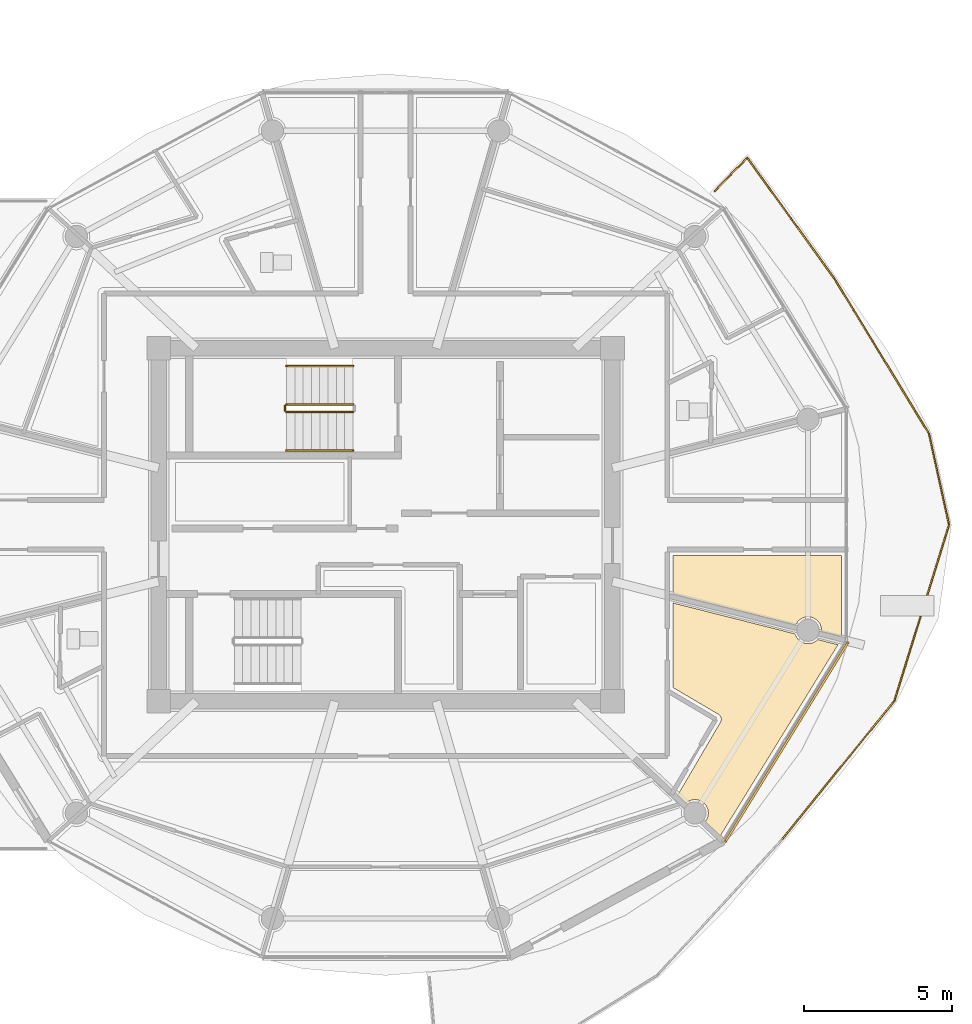
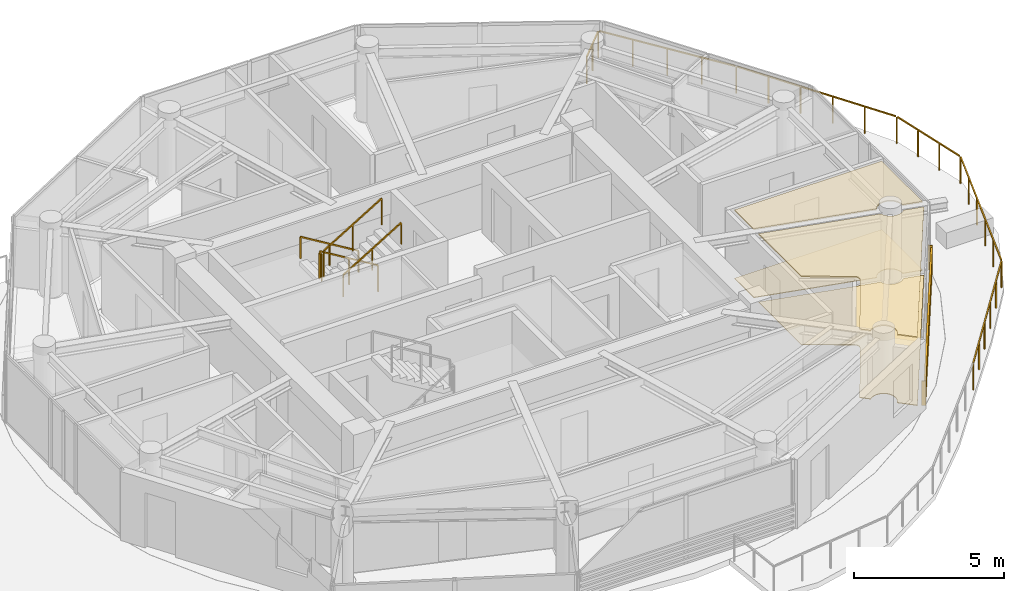
# One storey, part 26 of 30: 6 railings, 4 coverings, 1 shading device.
"""IFC4 building model written with IfcOpenShell, lengths in metres."""

from ifc_helpers import new_model, si_unit, direction, frame, origin, origin_2d, place, context, subcontext, project, spatial, polyline, rectangle, outline, extrude, source, transform, mapped, material, layer, layer_set, type_object, type_shapes, element, save


model = new_model("IFC4")

# Units and contexts
model_context = context("Model", 3, precision=1e-05, world=origin(), true_north=direction((0.0, 1.0)))
body_context = subcontext(model_context, "Body", "Model", "MODEL_VIEW")
ifc_project = project(units=[si_unit("LENGTHUNIT", "METRE"), si_unit("AREAUNIT", "SQUARE_METRE"), si_unit("VOLUMEUNIT", "CUBIC_METRE"), si_unit("PLANEANGLEUNIT", "RADIAN"), si_unit("MASSUNIT", "GRAM", prefix="KILO")], contexts=[model_context])

# Site, building, storey
site_placement = place(None, origin())
site = spatial("IfcSite", under=ifc_project, at=site_placement, CompositionType="ELEMENT")
building_placement = place(site_placement, origin())
building = spatial("IfcBuilding", under=site, at=building_placement, Name="Norrkilde Senior Care Towers", CompositionType="ELEMENT")
storey_placement = place(building_placement, frame((0.0, 0.0, 232.199951171875)))
storey = spatial("IfcBuildingStorey", under=building, at=storey_placement, Name="L72", CompositionType="ELEMENT", Elevation=232.199951171875)

# Coverings
ifc_material_1 = material(Name="Nordic Ash Timber", Category="wood")
ifc_layer_1 = layer(ifc_material_1, 0.044921875)
ifc_layer_set_1 = layer_set([ifc_layer_1], Name="Nordic Ash Timber")
covering_type_1 = type_object("IfcCoveringType", Name="Acoustic Ash Timber Slatted Ceiling 45", PredefinedType="CEILING", material=ifc_layer_set_1)
covering_1_placement = place(storey_placement, frame((0.0, 0.0, 2.76513671875)))
element("IfcCovering", 1, at=covering_1_placement, inside=storey, type_object=covering_type_1, Name="L72 Suspended Ceiling 0450", PredefinedType="CEILING", context=body_context, shape_type="SweptSolid", body=[
    extrude(outline(polyline([(43.37353515625, -3.76708984375), (42.697509765625, -3.59619140625), (42.702392578125, -3.558837890625), (42.68701171875, -3.44091796875), (42.641357421875, -3.331298828125), (42.569091796875, -3.237060546875), (42.474853515625, -3.164794921875), (42.365234375, -3.119384765625), (42.247314453125, -3.103759765625), (42.129638671875, -3.119384765625), (42.02001953125, -3.164794921875), (41.92578125, -3.237060546875), (41.853271484375, -3.331298828125), (41.834228515625, -3.377685546875), (37.699951171875, -2.331298828125), (37.699951171875, -1.0400390625), (43.37353515625, -1.0400390625), (43.37353515625, -3.76708984375)])), origin(), (0.0, 0.0, 1.0), 0.044921875),
])
covering_2_placement = place(storey_placement, frame((0.0, 0.0, 2.76513671875)))
element("IfcCovering", 2, at=covering_2_placement, inside=storey, type_object=covering_type_1, Name="L72 Suspended Ceiling 0463", PredefinedType="CEILING", context=body_context, shape_type="SweptSolid", body=[
    extrude(outline(polyline([(39.3017578125, -6.644287109375), (39.306640625, -6.633544921875), (39.309326171875, -6.627197265625), (39.31298828125, -6.6162109375), (39.31494140625, -6.609619140625), (39.31787109375, -6.59814453125), (39.319091796875, -6.59130859375), (39.320556640625, -6.57958984375), (39.3212890625, -6.57275390625), (39.32177734375, -6.56103515625), (39.32177734375, -6.55419921875), (39.321044921875, -6.54248046875), (39.3203125, -6.53564453125), (39.318359375, -6.524169921875), (39.317138671875, -6.517333984375), (39.314208984375, -6.505859375), (39.31201171875, -6.49951171875), (39.30810546875, -6.48828125), (39.305419921875, -6.482177734375), (39.30029296875, -6.471435546875), (39.296875, -6.46533203125), (39.290771484375, -6.455322265625), (39.286865234375, -6.44970703125), (39.27978515625, -6.4404296875), (39.275390625, -6.43505859375), (39.267578125, -6.426513671875), (39.2626953125, -6.421630859375), (39.25390625, -6.413818359375), (39.24853515625, -6.409423828125), (39.239013671875, -6.402587890625), (39.233154296875, -6.398681640625), (39.228271484375, -6.395751953125), (37.699951171875, -5.4951171875), (37.699951171875, -2.640625), (41.809814453125, -3.680908203125), (41.853271484375, -3.786376953125), (41.92578125, -3.880615234375), (42.02001953125, -3.952880859375), (42.129638671875, -3.998291015625), (42.247314453125, -4.013671875), (42.365234375, -3.998291015625), (42.474853515625, -3.952880859375), (42.569091796875, -3.880615234375), (42.573974609375, -3.874267578125), (43.25732421875, -4.04736328125), (39.28662109375, -10.495849609375), (38.775634765625, -10.01318359375), (38.823974609375, -9.9501953125), (38.869384765625, -9.840576171875), (38.884765625, -9.72265625), (38.869384765625, -9.60498046875), (38.823974609375, -9.4951171875), (38.75146484375, -9.40087890625), (38.6572265625, -9.32861328125), (38.547607421875, -9.283203125), (38.429931640625, -9.267822265625), (38.31201171875, -9.283203125), (38.202392578125, -9.32861328125), (38.11865234375, -9.392822265625), (37.84326171875, -9.132568359375), (39.295654296875, -6.655517578125), (39.298583984375, -6.650390625), (39.3017578125, -6.644287109375)])), origin(), (0.0, 0.0, 1.0), 0.044921875),
])
ifc_material_2 = material(Name="Slip-Resistant Porcelain Stone", Category="masonry")
ifc_layer_2 = layer(ifc_material_2, 0.02490234375)
ifc_layer_set_2 = layer_set([ifc_layer_2], Name="Slip-Resistant Porcelain Stone")
covering_type_2 = type_object("IfcCoveringType", Name="Slip-Resistant Porcelain Flooring 25", PredefinedType="FLOORING", material=ifc_layer_set_2)
covering_3_placement = place(storey_placement, origin())
element("IfcCovering", 3, at=covering_3_placement, inside=storey, type_object=covering_type_2, Name="L72 Floor Finish 0450", PredefinedType="FLOORING", context=body_context, shape_type="SweptSolid", body=[
    extrude(outline(polyline([(43.37353515625, -3.76708984375), (42.697509765625, -3.59619140625), (42.702392578125, -3.558837890625), (42.68701171875, -3.44091796875), (42.641357421875, -3.331298828125), (42.569091796875, -3.237060546875), (42.474853515625, -3.164794921875), (42.365234375, -3.119384765625), (42.247314453125, -3.103759765625), (42.129638671875, -3.119384765625), (42.02001953125, -3.164794921875), (41.92578125, -3.237060546875), (41.853271484375, -3.331298828125), (41.834228515625, -3.377685546875), (37.699951171875, -2.331298828125), (37.699951171875, -1.0400390625), (43.37353515625, -1.0400390625), (43.37353515625, -3.76708984375)])), origin(), (0.0, 0.0, 1.0), 0.025146484375),
])
covering_4_placement = place(storey_placement, origin())
element("IfcCovering", 4, at=covering_4_placement, inside=storey, type_object=covering_type_2, Name="L72 Floor Finish 0463", PredefinedType="FLOORING", context=body_context, shape_type="SweptSolid", body=[
    extrude(outline(polyline([(39.3017578125, -6.644287109375), (39.306640625, -6.633544921875), (39.309326171875, -6.627197265625), (39.31298828125, -6.6162109375), (39.31494140625, -6.609619140625), (39.31787109375, -6.59814453125), (39.319091796875, -6.59130859375), (39.320556640625, -6.57958984375), (39.3212890625, -6.57275390625), (39.32177734375, -6.56103515625), (39.32177734375, -6.55419921875), (39.321044921875, -6.54248046875), (39.3203125, -6.53564453125), (39.318359375, -6.524169921875), (39.317138671875, -6.517333984375), (39.314208984375, -6.505859375), (39.31201171875, -6.49951171875), (39.30810546875, -6.48828125), (39.305419921875, -6.482177734375), (39.30029296875, -6.471435546875), (39.296875, -6.46533203125), (39.290771484375, -6.455322265625), (39.286865234375, -6.44970703125), (39.27978515625, -6.4404296875), (39.275390625, -6.43505859375), (39.267578125, -6.426513671875), (39.2626953125, -6.421630859375), (39.25390625, -6.413818359375), (39.24853515625, -6.409423828125), (39.239013671875, -6.402587890625), (39.233154296875, -6.398681640625), (39.228271484375, -6.395751953125), (37.699951171875, -5.4951171875), (37.699951171875, -2.640625), (41.809814453125, -3.680908203125), (41.853271484375, -3.786376953125), (41.92578125, -3.880615234375), (42.02001953125, -3.952880859375), (42.129638671875, -3.998291015625), (42.247314453125, -4.013671875), (42.365234375, -3.998291015625), (42.474853515625, -3.952880859375), (42.569091796875, -3.880615234375), (42.573974609375, -3.874267578125), (43.25732421875, -4.04736328125), (39.28662109375, -10.495849609375), (38.775634765625, -10.01318359375), (38.823974609375, -9.9501953125), (38.869384765625, -9.840576171875), (38.884765625, -9.72265625), (38.869384765625, -9.60498046875), (38.823974609375, -9.4951171875), (38.75146484375, -9.40087890625), (38.6572265625, -9.32861328125), (38.547607421875, -9.283203125), (38.429931640625, -9.267822265625), (38.31201171875, -9.283203125), (38.202392578125, -9.32861328125), (38.11865234375, -9.392822265625), (37.84326171875, -9.132568359375), (39.295654296875, -6.655517578125), (39.298583984375, -6.650390625), (39.3017578125, -6.644287109375)])), origin(), (0.0, 0.0, 1.0), 0.025146484375),
])

# Railings
ifc_material_3 = material(Name="Stainless Steel", Category="steel")
railing_type_1 = type_object("IfcRailingType", Name="Stair and Terrace Guardrail 1100", PredefinedType="GUARDRAIL", material=ifc_material_3)
railing_1_placement = place(storey_placement, frame((39.0966796875, 11.249267578125, 0.0)))
element("IfcRailing", 5, at=railing_1_placement, inside=storey, type_object=railing_type_1, Name="L72 Perimeter Safety Guard 02", PredefinedType="GUARDRAIL", context=body_context, shape_type="SweptSolid", body=[
    extrude(rectangle(XDim=0.048095703125, YDim=0.048095703125, at=origin_2d()), frame((0.0, 0.0, 1.09619140625), z_axis=(0.698676722549, 0.715437514649, 0.0), x_axis=(-0.715437514649, 0.698676722549, 0.0)), (0.0, 0.0, 1.0), 1.5322265625),
    extrude(rectangle(XDim=0.048095703125, YDim=0.048095703125, at=origin_2d()), frame((1.123046875, 1.09228515625, 1.09619140625), z_axis=(0.584734195785, -0.811224950479, 0.0), x_axis=(0.811224950479, 0.584734195785, 0.0)), (0.0, 0.0, 1.0), 4.964111328125),
    extrude(rectangle(XDim=0.048095703125, YDim=0.048095703125, at=origin_2d()), frame((4.07080078125, -3.002685546875, 1.09619140625), z_axis=(0.520729754981, -0.853721571871, 0.0), x_axis=(0.853721571871, 0.520729754981, 0.0)), (0.0, 0.0, 1.0), 6.021240234375),
    extrude(rectangle(XDim=0.048095703125, YDim=0.048095703125, at=origin_2d()), frame((7.236328125, -8.218017578125, 1.09619140625), z_axis=(0.215271542966, -0.976554229313, 0.0), x_axis=(0.976554229313, 0.215271542966, 0.0)), (0.0, 0.0, 1.0), 3.06640625),
    extrude(rectangle(XDim=0.048095703125, YDim=0.048095703125, at=origin_2d()), frame((7.89306640625, -11.29150390625, 1.09619140625), z_axis=(-0.296380666929, -0.955069892872, 0.0), x_axis=(0.955069892872, -0.296380666929, 0.0)), (0.0, 0.0, 1.0), 6.12841796875),
    extrude(rectangle(XDim=0.048095703125, YDim=0.048095703125, at=origin_2d()), frame((6.0390625, -17.21533203125, 1.09619140625), z_axis=(-0.629649585519, -0.776879269549, 0.0), x_axis=(0.776879269549, -0.629649585519, 0.0)), (0.0, 0.0, 1.0), 5.9951171875),
    extrude(rectangle(XDim=0.0419921875, YDim=0.0419921875, at=origin_2d()), origin(), (0.0, 0.0, 1.0), 1.070068359375),
    extrude(rectangle(XDim=0.0419921875, YDim=0.0419921875, at=origin_2d()), frame((0.549560546875, 0.562744140625, 0.0)), (0.0, 0.0, 1.0), 1.070068359375),
    extrude(rectangle(XDim=0.0419921875, YDim=0.0419921875, at=origin_2d()), frame((1.09912109375, 1.12548828125, 0.0)), (0.0, 0.0, 1.0), 1.070068359375),
    extrude(rectangle(XDim=0.0419921875, YDim=0.0419921875, at=origin_2d()), frame((1.836669921875, 0.10205078125, 0.0)), (0.0, 0.0, 1.0), 1.070068359375),
    extrude(rectangle(XDim=0.0419921875, YDim=0.0419921875, at=origin_2d()), frame((2.57421875, -0.921142578125, 0.0)), (0.0, 0.0, 1.0), 1.070068359375),
    extrude(rectangle(XDim=0.0419921875, YDim=0.0419921875, at=origin_2d()), frame((3.31201171875, -1.9443359375, 0.0)), (0.0, 0.0, 1.0), 1.070068359375),
    extrude(rectangle(XDim=0.0419921875, YDim=0.0419921875, at=origin_2d()), frame((4.049560546875, -2.9677734375, 0.0)), (0.0, 0.0, 1.0), 1.070068359375),
    extrude(rectangle(XDim=0.0419921875, YDim=0.0419921875, at=origin_2d()), frame((4.68505859375, -4.009765625, 0.0)), (0.0, 0.0, 1.0), 1.070068359375),
    extrude(rectangle(XDim=0.0419921875, YDim=0.0419921875, at=origin_2d()), frame((5.32080078125, -5.0517578125, 0.0)), (0.0, 0.0, 1.0), 1.070068359375),
    extrude(rectangle(XDim=0.0419921875, YDim=0.0419921875, at=origin_2d()), frame((5.956298828125, -6.093994140625, 0.0)), (0.0, 0.0, 1.0), 1.070068359375),
    extrude(rectangle(XDim=0.0419921875, YDim=0.0419921875, at=origin_2d()), frame((6.592041015625, -7.135986328125, 0.0)), (0.0, 0.0, 1.0), 1.070068359375),
    extrude(rectangle(XDim=0.0419921875, YDim=0.0419921875, at=origin_2d()), frame((7.2275390625, -8.177978515625, 0.0)), (0.0, 0.0, 1.0), 1.070068359375),
    extrude(rectangle(XDim=0.0419921875, YDim=0.0419921875, at=origin_2d()), frame((7.453369140625, -9.202880859375, 0.0)), (0.0, 0.0, 1.0), 1.070068359375),
    extrude(rectangle(XDim=0.0419921875, YDim=0.0419921875, at=origin_2d()), frame((7.679443359375, -10.2275390625, 0.0)), (0.0, 0.0, 1.0), 1.070068359375),
    extrude(rectangle(XDim=0.0419921875, YDim=0.0419921875, at=origin_2d()), frame((7.9052734375, -11.25244140625, 0.0)), (0.0, 0.0, 1.0), 1.070068359375),
    extrude(rectangle(XDim=0.0419921875, YDim=0.0419921875, at=origin_2d()), frame((7.537109375, -12.438720703125, 0.0)), (0.0, 0.0, 1.0), 1.070068359375),
    extrude(rectangle(XDim=0.0419921875, YDim=0.0419921875, at=origin_2d()), frame((7.1689453125, -13.625, 0.0)), (0.0, 0.0, 1.0), 1.070068359375),
    extrude(rectangle(XDim=0.0419921875, YDim=0.0419921875, at=origin_2d()), frame((6.801025390625, -14.81103515625, 0.0)), (0.0, 0.0, 1.0), 1.070068359375),
    extrude(rectangle(XDim=0.0419921875, YDim=0.0419921875, at=origin_2d()), frame((6.432861328125, -15.997314453125, 0.0)), (0.0, 0.0, 1.0), 1.070068359375),
    extrude(rectangle(XDim=0.0419921875, YDim=0.0419921875, at=origin_2d()), frame((6.064697265625, -17.18359375, 0.0)), (0.0, 0.0, 1.0), 1.070068359375),
    extrude(rectangle(XDim=0.0419921875, YDim=0.0419921875, at=origin_2d()), frame((5.3046875, -18.121337890625, 0.0)), (0.0, 0.0, 1.0), 1.070068359375),
    extrude(rectangle(XDim=0.0419921875, YDim=0.0419921875, at=origin_2d()), frame((4.54443359375, -19.059326171875, 0.0)), (0.0, 0.0, 1.0), 1.070068359375),
    extrude(rectangle(XDim=0.0419921875, YDim=0.0419921875, at=origin_2d()), frame((3.784423828125, -19.9970703125, 0.0)), (0.0, 0.0, 1.0), 1.070068359375),
    extrude(rectangle(XDim=0.0419921875, YDim=0.0419921875, at=origin_2d()), frame((3.024169921875, -20.93505859375, 0.0)), (0.0, 0.0, 1.0), 1.070068359375),
    extrude(rectangle(XDim=0.0419921875, YDim=0.0419921875, at=origin_2d()), frame((2.26416015625, -21.872802734375, 0.0)), (0.0, 0.0, 1.0), 1.070068359375),
])
railing_2_placement = place(storey_placement, frame((26.89990234375, 4.050048828125, 0.16943359375)))
element("IfcRailing", 6, at=railing_2_placement, inside=storey, type_object=railing_type_1, Name="L72 ST-E1 stair guard 1", PredefinedType="GUARDRAIL", context=body_context, shape_type="SweptSolid", body=[
    extrude(rectangle(XDim=0.048095703125, YDim=0.048095703125, at=origin_2d()), frame((0.0, 0.0, 1.076171875), z_axis=(-0.855512035549, 0.0, 0.517782924622), x_axis=(0.0, -1.0, 0.0)), (0.0, 0.0, 1.0), 2.618408203125),
    extrude(rectangle(XDim=0.0419921875, YDim=0.0419921875, at=origin_2d()), origin(), (0.0, 0.0, 1.0), 1.050048828125),
    extrude(rectangle(XDim=0.0419921875, YDim=0.0419921875, at=origin_2d()), frame((-1.1201171875, 0.0, 0.677734375)), (0.0, 0.0, 1.0), 1.050048828125),
    extrude(rectangle(XDim=0.0419921875, YDim=0.0419921875, at=origin_2d()), frame((-2.239990234375, 0.0, 1.355712890625)), (0.0, 0.0, 1.0), 1.050048828125),
])
railing_3_placement = place(storey_placement, frame((24.610107421875, 4.0, 1.525146484375)))
element("IfcRailing", 7, at=railing_3_placement, inside=storey, type_object=railing_type_1, Name="L72 ST-E1 stair guard 2", PredefinedType="GUARDRAIL", context=body_context, shape_type="SweptSolid", body=[
    extrude(rectangle(XDim=0.048095703125, YDim=0.048095703125, at=origin_2d()), frame((0.0, 0.0, 1.076171875), z_axis=(0.0, -1.0, 0.0), x_axis=(1.0, 0.0, 0.0)), (0.0, 0.0, 1.0), 0.14990234375),
    extrude(rectangle(XDim=0.0419921875, YDim=0.0419921875, at=origin_2d()), origin(), (0.0, 0.0, 1.0), 1.050048828125),
    extrude(rectangle(XDim=0.0419921875, YDim=0.0419921875, at=origin_2d()), frame((0.0, -0.14990234375, 0.0)), (0.0, 0.0, 1.0), 1.050048828125),
])
railing_4_placement = place(storey_placement, frame((24.659912109375, 3.800048828125, 1.694580078125)))
element("IfcRailing", 8, at=railing_4_placement, inside=storey, type_object=railing_type_1, Name="L72 ST-E1 stair guard 3", PredefinedType="GUARDRAIL", context=body_context, shape_type="SweptSolid", body=[
    extrude(rectangle(XDim=0.048095703125, YDim=0.048095703125, at=origin_2d()), frame((0.0, 0.0, 1.076171875), z_axis=(0.855553338991, 0.0, 0.51771467445), x_axis=(0.0, 1.0, 0.0)), (0.0, 0.0, 1.0), 2.6181640625),
    extrude(rectangle(XDim=0.0419921875, YDim=0.0419921875, at=origin_2d()), origin(), (0.0, 0.0, 1.0), 1.050048828125),
    extrude(rectangle(XDim=0.0419921875, YDim=0.0419921875, at=origin_2d()), frame((1.1201171875, 0.0, 0.677734375)), (0.0, 0.0, 1.0), 1.050048828125),
    extrude(rectangle(XDim=0.0419921875, YDim=0.0419921875, at=origin_2d()), frame((2.239990234375, 0.0, 1.35546875)), (0.0, 0.0, 1.0), 1.050048828125),
])
railing_type_2 = type_object("IfcRailingType", Name="Wall and Stair Handrail 900", PredefinedType="HANDRAIL", material=ifc_material_1)
railing_5_placement = place(storey_placement, frame((26.89990234375, 5.35009765625, 0.16943359375)))
element("IfcRailing", 9, at=railing_5_placement, inside=storey, type_object=railing_type_2, Name="L72 ST-E1 stair handrail 1", PredefinedType="HANDRAIL", context=body_context, shape_type="SweptSolid", body=[
    extrude(rectangle(XDim=0.048095703125, YDim=0.048095703125, at=origin_2d()), frame((0.0, 0.0, 0.8759765625), z_axis=(-0.855512035549, 0.0, 0.517782924622), x_axis=(0.0, -1.0, 0.0)), (0.0, 0.0, 1.0), 2.618408203125),
    extrude(rectangle(XDim=0.0419921875, YDim=0.0419921875, at=origin_2d()), origin(), (0.0, 0.0, 1.0), 0.849853515625),
    extrude(rectangle(XDim=0.0419921875, YDim=0.0419921875, at=origin_2d()), frame((-1.1201171875, 0.0, 0.677734375)), (0.0, 0.0, 1.0), 0.849853515625),
    extrude(rectangle(XDim=0.0419921875, YDim=0.0419921875, at=origin_2d()), frame((-2.239990234375, 0.0, 1.355712890625)), (0.0, 0.0, 1.0), 0.849853515625),
])
railing_6_placement = place(storey_placement, frame((24.659912109375, 2.5, 1.694580078125)))
element("IfcRailing", 10, at=railing_6_placement, inside=storey, type_object=railing_type_2, Name="L72 ST-E1 stair handrail 2", PredefinedType="HANDRAIL", context=body_context, shape_type="SweptSolid", body=[
    extrude(rectangle(XDim=0.048095703125, YDim=0.048095703125, at=origin_2d()), frame((0.0, 0.0, 0.8759765625), z_axis=(0.855553338991, 0.0, 0.51771467445), x_axis=(0.0, 1.0, 0.0)), (0.0, 0.0, 1.0), 2.6181640625),
    extrude(rectangle(XDim=0.0419921875, YDim=0.0419921875, at=origin_2d()), origin(), (0.0, 0.0, 1.0), 0.849853515625),
    extrude(rectangle(XDim=0.0419921875, YDim=0.0419921875, at=origin_2d()), frame((1.1201171875, 0.0, 0.677734375)), (0.0, 0.0, 1.0), 0.849853515625),
    extrude(rectangle(XDim=0.0419921875, YDim=0.0419921875, at=origin_2d()), frame((2.239990234375, 0.0, 1.35546875)), (0.0, 0.0, 1.0), 0.849853515625),
])

# Shading device
ifc_material_4 = material(Name="Architectural Terracotta", Category="masonry")
shading_device_type = type_object("IfcShadingDeviceType", Name="Horizontal Terracotta Baguette Rack", PredefinedType="USERDEFINED", material=ifc_material_4)
shared_shape = source(origin(), body_context, "Body", "SweptSolid", [
    extrude(rectangle(XDim=0.070068359375, YDim=0.110107421875, at=origin_2d()), frame((0.0, 0.090087890625, 0.125), z_axis=(1.0, 0.0, 0.0), x_axis=(0.0, 1.0, 0.0)), (0.0, 0.0, 1.0), 7.938232421875),
    extrude(rectangle(XDim=0.070068359375, YDim=0.110107421875, at=origin_2d()), frame((0.0, 0.090087890625, 0.375), z_axis=(1.0, 0.0, 0.0), x_axis=(0.0, 1.0, 0.0)), (0.0, 0.0, 1.0), 7.938232421875),
    extrude(rectangle(XDim=0.070068359375, YDim=0.110107421875, at=origin_2d()), frame((0.0, 0.090087890625, 0.625), z_axis=(1.0, 0.0, 0.0), x_axis=(0.0, 1.0, 0.0)), (0.0, 0.0, 1.0), 7.938232421875),
    extrude(rectangle(XDim=0.070068359375, YDim=0.110107421875, at=origin_2d()), frame((0.0, 0.090087890625, 0.875), z_axis=(1.0, 0.0, 0.0), x_axis=(0.0, 1.0, 0.0)), (0.0, 0.0, 1.0), 7.938232421875),
    extrude(rectangle(XDim=0.050048828125, YDim=0.1552734375, at=origin_2d()), frame((0.02490234375, 0.047607421875, 0.0)), (0.0, 0.0, 1.0), 1.0),
    extrude(rectangle(XDim=0.050048828125, YDim=0.1552734375, at=origin_2d()), frame((7.9130859375, 0.047607421875, 0.0)), (0.0, 0.0, 1.0), 1.0),
])
type_shapes(shading_device_type, [shared_shape])
shading_device_placement = place(storey_placement, frame((43.531982421875, -3.903076171875, 0.080078125), z_axis=(0.0, 0.0, 1.0), x_axis=(-0.524250345994, -0.851576195602, 0.0)))
element("IfcShadingDevice", 11, at=shading_device_placement, inside=storey, type_object=shading_device_type, Name="L72 Drum E Terracotta Baguette Screen 10", ObjectType="BAGUETTE", PredefinedType="USERDEFINED", context=body_context, shape_type="MappedRepresentation", body=[
    mapped(shared_shape, transform((0.0, 0.0, 0.0), x_axis=(1.0, 0.0, 0.0), y_axis=(0.0, 1.0, 0.0), z_axis=(0.0, 0.0, 1.0), scale=1.0)),
])

save(model, "model.ifc")
